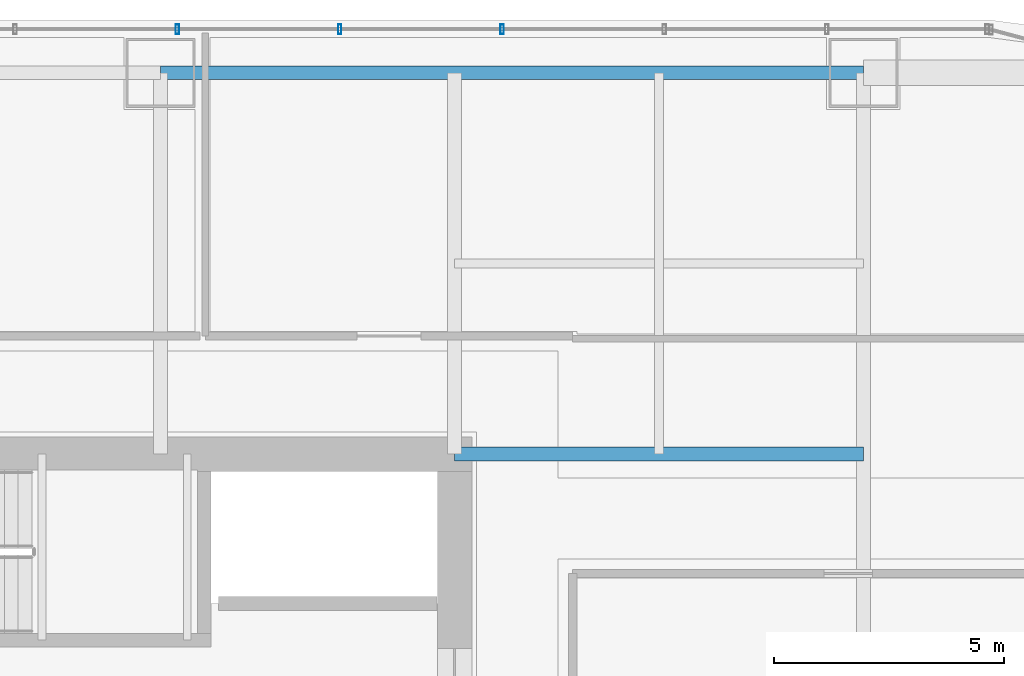
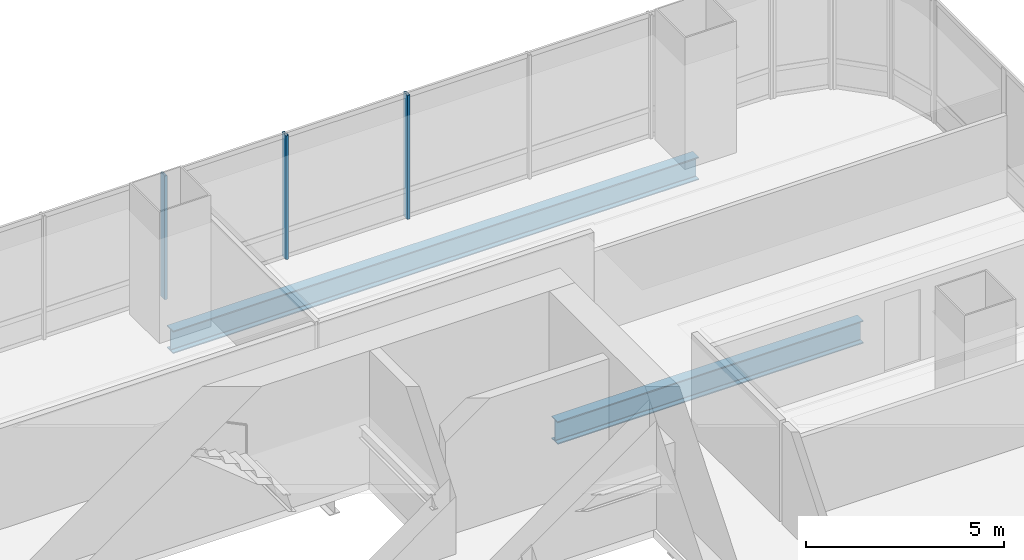
# One storey, part 22 of 35: 3 members, 2 beams, 1 element without a shape of its own.
"""IFC4 building model written with IfcOpenShell, lengths in metres."""

from ifc_helpers import new_model, si_unit, direction, frame, origin, origin_2d, place, context, subcontext, project, spatial, hollow_rectangle, i_section, extrude, material, material_profile, profile_set, type_object, element, aggregate, save


model = new_model("IFC4")

# Units and contexts
model_context = context("Model", 3, precision=1e-05, world=origin(), true_north=direction((0.0, 1.0)))
body_context = subcontext(model_context, "Body", "Model", "MODEL_VIEW")
ifc_project = project(units=[si_unit("LENGTHUNIT", "METRE"), si_unit("AREAUNIT", "SQUARE_METRE"), si_unit("VOLUMEUNIT", "CUBIC_METRE"), si_unit("PLANEANGLEUNIT", "RADIAN"), si_unit("MASSUNIT", "GRAM", prefix="KILO")], contexts=[model_context])

# Site, building, storey
site_placement = place(None, origin())
site = spatial("IfcSite", under=ifc_project, at=site_placement, CompositionType="ELEMENT")
building_placement = place(site_placement, origin())
building = spatial("IfcBuilding", under=site, at=building_placement, Name="Punatoya Terracotta Tower", CompositionType="ELEMENT")
storey_placement = place(building_placement, frame((0.0, 0.0, 64.64990234375)))
storey = spatial("IfcBuildingStorey", under=building, at=storey_placement, Name="L14", CompositionType="ELEMENT", Elevation=64.64990234375)

# Beams
ifc_material_1 = material(Name="Steel S355", Category="steel")
ifc_material_profile_1 = material_profile(ifc_material_1, i_section(OverallWidth=0.300048828125, OverallDepth=0.699951171875, WebThickness=0.01708984375, FlangeThickness=0.031982421875, FilletRadius=0.01806640625, at=origin_2d()))
ifc_profile_set_1 = profile_set([ifc_material_profile_1], Name="Steel S355")
beam_type = type_object("IfcBeamType", Name="BM-PRI-700", PredefinedType="BEAM", material=ifc_profile_set_1)
beam_1_placement = place(storey_placement, frame((3.800048828125, 17.5, -0.58984375), z_axis=(1.0, 0.0, 0.0), x_axis=(0.0, 1.0, 0.0)))
element("IfcBeam", 1, at=beam_1_placement, inside=storey, type_object=beam_type, Name="BM-L14-RG-N3", PredefinedType="BEAM", context=body_context, shape_type="SweptSolid", body=[
    extrude(i_section(OverallWidth=0.300048828125, OverallDepth=0.699951171875, WebThickness=0.01708984375, FlangeThickness=0.031982421875, FilletRadius=0.01806640625, at=origin_2d()), origin(), (0.0, 0.0, 1.0), 15.300048828125),
])
beam_2_placement = place(storey_placement, frame((10.199951171875, 9.199951171875, -0.58984375), z_axis=(1.0, 0.0, 0.0), x_axis=(0.0, 1.0, 0.0)))
element("IfcBeam", 2, at=beam_2_placement, inside=storey, type_object=beam_type, Name="BM-L14-PR-EN", PredefinedType="BEAM", context=body_context, shape_type="SweptSolid", body=[
    extrude(i_section(OverallWidth=0.300048828125, OverallDepth=0.699951171875, WebThickness=0.01708984375, FlangeThickness=0.031982421875, FilletRadius=0.01806640625, at=origin_2d()), origin(), (0.0, 0.0, 1.0), 8.900146484375),
])

# Curtain wall, members
ifc_material_2 = material(Name="Aluminium 6063-T6 + Double Low-E Glass", Category="aluminium")
curtain_wall_type = type_object("IfcCurtainWallType", Name="CW-M1", PredefinedType="NOTDEFINED", material=ifc_material_2)
curtain_wall_placement = place(storey_placement, origin())
curtain_wall = element("IfcCurtainWall", 3, at=curtain_wall_placement, inside=storey, type_object=curtain_wall_type, Name="L14 Curtain Wall CW-L14-N09-1", PredefinedType="NOTDEFINED")
ifc_material_3 = material(Name="Aluminium 6063-T6", Category="aluminium")
ifc_material_profile_2 = material_profile(ifc_material_3, hollow_rectangle(XDim=0.074951171875, YDim=0.2099609375, WallThickness=0.00439453125, at=origin_2d()))
ifc_profile_set_2 = profile_set([ifc_material_profile_2], Name="Aluminium 6063-T6")
member_type = type_object("IfcMemberType", Name="CW-MUL-M1", PredefinedType="MULLION", material=ifc_profile_set_2)
member_1_placement = place(storey_placement, frame((11.235107421875, 18.449951171875, 0.0), z_axis=(0.0, 0.0, 1.0), x_axis=(1.0, 0.0, 0.0)))
member_1 = element("IfcMember", 4, at=member_1_placement, type_object=member_type, Name="CW-L14-N09-1 Mullion 03", PredefinedType="MULLION", context=body_context, shape_type="SweptSolid", body=[
    extrude(hollow_rectangle(XDim=0.074951171875, YDim=0.2099609375, WallThickness=0.00439453125, at=origin_2d()), origin(), (0.0, 0.0, 1.0), 3.81005859375),
])
member_2_placement = place(storey_placement, frame((7.700927734375, 18.449951171875, 0.0), z_axis=(0.0, 0.0, 1.0), x_axis=(1.0, 0.0, 0.0)))
member_2 = element("IfcMember", 5, at=member_2_placement, type_object=member_type, Name="CW-L14-N09-1 Mullion 04", PredefinedType="MULLION", context=body_context, shape_type="SweptSolid", body=[
    extrude(hollow_rectangle(XDim=0.074951171875, YDim=0.2099609375, WallThickness=0.00439453125, at=origin_2d()), origin(), (0.0, 0.0, 1.0), 3.81005859375),
])
member_3_placement = place(storey_placement, frame((4.1669921875, 18.449951171875, 0.0), z_axis=(0.0, 0.0, 1.0), x_axis=(1.0, 0.0, 0.0)))
member_3 = element("IfcMember", 6, at=member_3_placement, type_object=member_type, Name="CW-L14-N09-1 Mullion 05", PredefinedType="MULLION", context=body_context, shape_type="SweptSolid", body=[
    extrude(hollow_rectangle(XDim=0.074951171875, YDim=0.2099609375, WallThickness=0.00439453125, at=origin_2d()), origin(), (0.0, 0.0, 1.0), 3.81005859375),
])
aggregate(curtain_wall, [member_1, member_2, member_3])

save(model, "model.ifc")
